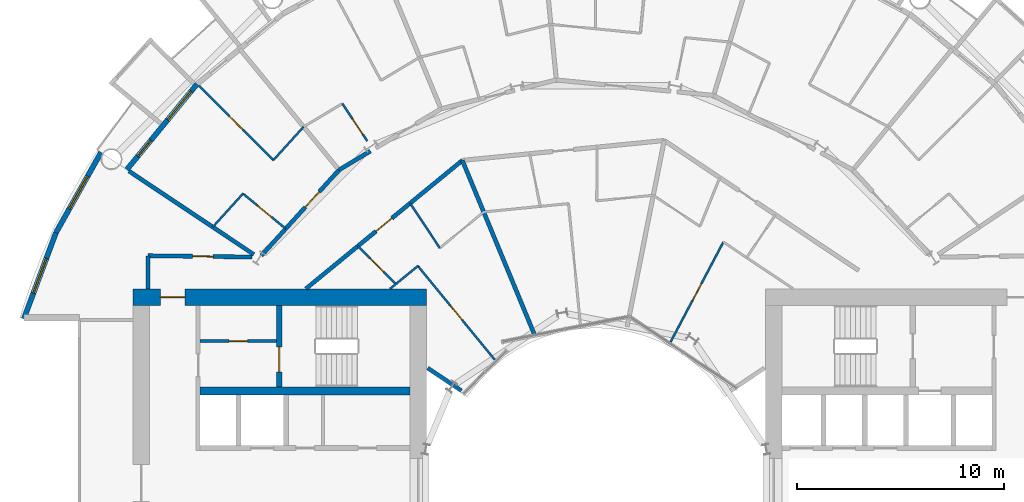
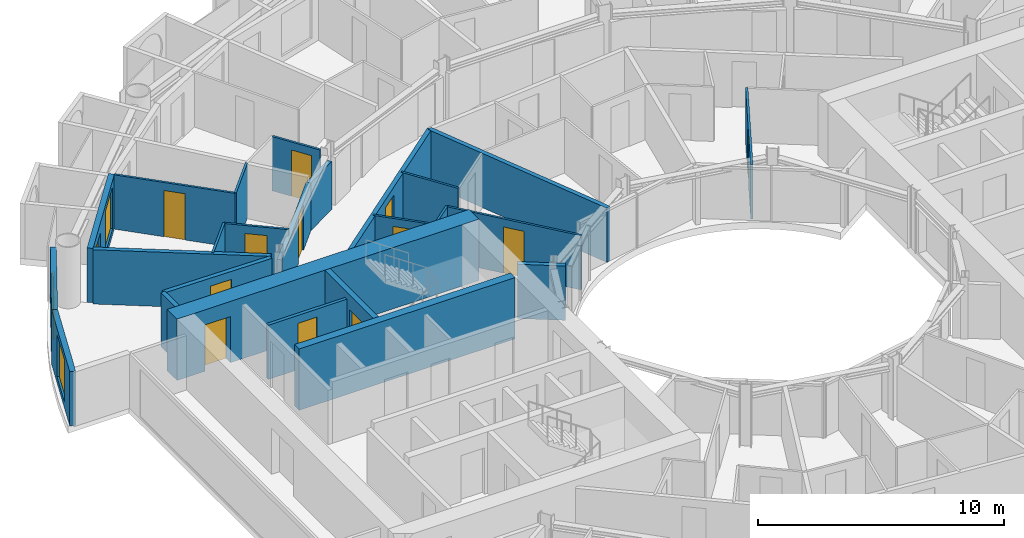
# One storey, part 18 of 26: 25 walls, 13 doors, 3 windows, 16 openings.
"""IFC4 building model written with IfcOpenShell, lengths in metres."""

from ifc_helpers import new_model, si_unit, direction, frame, frame_2d, origin, place, context, subcontext, project, spatial, rectangle, extrude, material, layer, layer_set, type_object, element, fill, save


model = new_model("IFC4")

# Units and contexts
model_context = context("Model", 3, precision=1e-05, world=origin(), true_north=direction((0.0, 1.0)))
body_context = subcontext(model_context, "Body", "Model", "MODEL_VIEW")
ifc_project = project(units=[si_unit("LENGTHUNIT", "METRE"), si_unit("AREAUNIT", "SQUARE_METRE"), si_unit("VOLUMEUNIT", "CUBIC_METRE"), si_unit("PLANEANGLEUNIT", "RADIAN"), si_unit("MASSUNIT", "GRAM", prefix="KILO")], contexts=[model_context])

# Site, building, storey
site_placement = place(None, origin())
site = spatial("IfcSite", under=ifc_project, at=site_placement, CompositionType="ELEMENT")
building_placement = place(site_placement, origin())
building = spatial("IfcBuilding", under=site, at=building_placement, Name="Maasbend Ring Residences", CompositionType="ELEMENT")
storey_placement = place(building_placement, frame((0.0, 0.0, 22.800048828125)))
storey = spatial("IfcBuildingStorey", under=building, at=storey_placement, Name="L05", CompositionType="ELEMENT", Elevation=22.800048828125)

# Wall, opening, door
ifc_material_1 = material(Name="Concrete C70/85", Category="concrete")
ifc_layer_1 = layer(ifc_material_1, 0.25)
ifc_layer_set_1 = layer_set([ifc_layer_1], Name="Concrete C70/85")
wall_type_1 = type_object("IfcWallType", Name="CORE WALL 250 C70/85", PredefinedType="SHEAR", material=ifc_layer_set_1)
wall_1_placement = place(storey_placement, frame((-15.324951171875, 8.60009765625, 0.0), z_axis=(0.0, 0.0, 1.0), x_axis=(0.0, -1.0, 0.0)))
wall_1 = element("IfcWall", 1, at=wall_1_placement, inside=storey, type_object=wall_type_1, Name="L05 core W wall STES", PredefinedType="SHEAR", context=body_context, shape_type="SweptSolid", body=[
    extrude(rectangle(XDim=3.9501953125, YDim=0.25, at=frame_2d((1.97509765625, 0.0))), origin(), (0.0, 0.0, 1.0), 3.050048828125),
])
opening_1_placement = place(wall_1_placement, frame((2.02490234375, 0.0, 0.0)))
opening_1 = element("IfcOpeningElement", 2, at=opening_1_placement, cuts=wall_1, Name="Opening D-W0510", PredefinedType="OPENING", context=body_context, shape_type="SweptSolid", body=[
    extrude(rectangle(XDim=1.199951171875, YDim=2.300048828125, at=frame_2d((0.60009765625, 1.14990234375))), frame((0.0, 0.135009765625, 0.0), z_axis=(0.0, -1.0, 0.0), x_axis=(1.0, 0.0, 0.0)), (0.0, 0.0, 1.0), 0.27001953125),
])
ifc_material_2 = material(Name="Steel, powder coated", Category="steel")
door_type_1 = type_object("IfcDoorType", Name="STAIR DOOR 1200 X 2300 FD60", OperationType="NOTDEFINED", PredefinedType="DOOR", material=ifc_material_2)
door_1_placement = place(opening_1_placement, origin())
door_1 = element("IfcDoor", 3, at=door_1_placement, inside=storey, type_object=door_type_1, Name="Stair door ST-W L05", OperationType="SINGLE_SWING_LEFT", OverallHeight=2.300048828125, OverallWidth=1.199951171875, PredefinedType="DOOR", context=body_context, shape_type="SweptSolid", body=[
    extrude(rectangle(XDim=1.199951171875, YDim=2.300048828125, at=frame_2d((0.60009765625, 1.14990234375))), frame((0.0, 0.02490234375, 0.0), z_axis=(0.0, -1.0, 0.0), x_axis=(1.0, 0.0, 0.0)), (0.0, 0.0, 1.0), 0.050048828125),
])
fill(opening_1, door_1)

# Wall
ifc_material_3 = material(Name="Concrete C70/85", Category="concrete")
ifc_layer_2 = layer(ifc_material_3, 0.375)
ifc_layer_set_2 = layer_set([ifc_layer_2], Name="Concrete C70/85")
wall_type_2 = type_object("IfcWallType", Name="CORE WALL 375 C70/85", PredefinedType="SHEAR", material=ifc_layer_set_2)
wall_2_placement = place(storey_placement, frame((-9.0, 4.46240234375, 0.0), z_axis=(0.0, 0.0, 1.0), x_axis=(-1.0, 0.0, 0.0)))
element("IfcWall", 4, at=wall_2_placement, inside=storey, type_object=wall_type_2, Name="L05 core W wall BS", PredefinedType="SHEAR", context=body_context, shape_type="SweptSolid", body=[
    extrude(rectangle(XDim=10.14990234375, YDim=0.375, at=frame_2d((5.074951171875, 0.0))), origin(), (0.0, 0.0, 1.0), 3.050048828125),
])

# Wall, opening, door
ifc_material_4 = material(Name="Concrete C70/85", Category="concrete")
ifc_layer_3 = layer(ifc_material_4, 0.800048828125)
ifc_layer_set_3 = layer_set([ifc_layer_3], Name="Concrete C70/85")
wall_type_3 = type_object("IfcWallType", Name="CORE WALL 800 C70/85", PredefinedType="SHEAR", material=ifc_layer_set_3)
wall_3_placement = place(storey_placement, frame((-8.199951171875, 9.0, 0.0), z_axis=(0.0, 0.0, 1.0), x_axis=(-1.0, 0.0, 0.0)))
wall_3 = element("IfcWall", 5, at=wall_3_placement, inside=storey, type_object=wall_type_3, Name="L05 core W wall PS", PredefinedType="SHEAR", context=body_context, shape_type="SweptSolid", body=[
    extrude(rectangle(XDim=14.199951171875, YDim=0.800048828125, at=frame_2d((7.10009765625, 0.0))), origin(), (0.0, 0.0, 1.0), 3.050048828125),
])
opening_2_placement = place(wall_3_placement, frame((11.675048828125, 0.0, 0.0)))
opening_2 = element("IfcOpeningElement", 6, at=opening_2_placement, cuts=wall_3, Name="Opening D-W0514", PredefinedType="OPENING", context=body_context, shape_type="SweptSolid", body=[
    extrude(rectangle(XDim=1.199951171875, YDim=2.300048828125, at=frame_2d((0.60009765625, 1.14990234375))), frame((0.0, 0.41015625, 0.0), z_axis=(0.0, -1.0, 0.0), x_axis=(1.0, 0.0, 0.0)), (0.0, 0.0, 1.0), 0.820068359375),
])
ifc_material_5 = material(Name="Steel, powder coated", Category="steel")
door_type_2 = type_object("IfcDoorType", Name="CORRIDOR DOOR 1200 X 2300 FD30S", OperationType="NOTDEFINED", PredefinedType="DOOR", material=ifc_material_5)
door_2_placement = place(opening_2_placement, origin())
door_2 = element("IfcDoor", 7, at=door_2_placement, inside=storey, type_object=door_type_2, Name="Corridor door L05", OperationType="SINGLE_SWING_LEFT", OverallHeight=2.300048828125, OverallWidth=1.199951171875, PredefinedType="DOOR", context=body_context, shape_type="SweptSolid", body=[
    extrude(rectangle(XDim=1.199951171875, YDim=2.300048828125, at=frame_2d((0.60009765625, 1.14990234375))), frame((0.0, 0.02490234375, 0.0), z_axis=(0.0, -1.0, 0.0), x_axis=(1.0, 0.0, 0.0)), (0.0, 0.0, 1.0), 0.050048828125),
])
fill(opening_2, door_2)

ifc_material_6 = material(Name="Concrete C30/37", Category="concrete")
ifc_layer_4 = layer(ifc_material_6, 0.199951171875)
ifc_layer_set_4 = layer_set([ifc_layer_4], Name="Concrete C30/37")
wall_type_4 = type_object("IfcWallType", Name="CORRIDOR WALL 200 CONCRETE", PredefinedType="PARTITIONING", material=ifc_layer_set_4)
wall_4_placement = place(storey_placement, frame((-21.675048828125, 11.0, 0.0), z_axis=(0.0, 0.0, 1.0), x_axis=(0.99992425795, -0.012307654658, 0.0)))
wall_4 = element("IfcWall", 8, at=wall_4_placement, inside=storey, type_object=wall_type_4, Name="U-L05-w098", PredefinedType="PARTITIONING", context=body_context, shape_type="SweptSolid", body=[
    extrude(rectangle(XDim=5.03857421875, YDim=0.199951171875, at=frame_2d((2.519287109375, 0.0))), origin(), (0.0, 0.0, 1.0), 2.699951171875),
])
opening_3_placement = place(wall_4_placement, frame((2.155029296875, 0.0, 0.0)))
opening_3 = element("IfcOpeningElement", 9, at=opening_3_placement, cuts=wall_4, Name="Opening D-0566", PredefinedType="OPENING", context=body_context, shape_type="SweptSolid", body=[
    extrude(rectangle(XDim=1.0, YDim=2.300048828125, at=frame_2d((0.5, 1.14990234375))), frame((0.0, 0.10986328125, 0.0), z_axis=(0.0, -1.0, 0.0), x_axis=(1.0, 0.0, 0.0)), (0.0, 0.0, 1.0), 0.219970703125),
])
ifc_material_7 = material(Name="Timber, painted", Category="wood")
door_type_3 = type_object("IfcDoorType", Name="ROOM DOOR 1000 X 2300", OperationType="NOTDEFINED", PredefinedType="DOOR", material=ifc_material_7)
door_3_placement = place(opening_3_placement, origin())
door_3 = element("IfcDoor", 10, at=door_3_placement, inside=storey, type_object=door_type_3, Name="D-0566", OperationType="SINGLE_SWING_RIGHT", OverallHeight=2.300048828125, OverallWidth=1.0, PredefinedType="DOOR", context=body_context, shape_type="SweptSolid", body=[
    extrude(rectangle(XDim=1.0, YDim=2.300048828125, at=frame_2d((0.5, 1.14990234375))), frame((0.0, 0.02490234375, 0.0), z_axis=(0.0, -1.0, 0.0), x_axis=(1.0, 0.0, 0.0)), (0.0, 0.0, 1.0), 0.050048828125),
])
fill(opening_3, door_3)

wall_5_placement = place(storey_placement, frame((-14.0390625, 9.39990234375, 0.0), z_axis=(0.0, 0.0, 1.0), x_axis=(0.77298340166, 0.634426245326, 0.0)))
wall_5 = element("IfcWall", 11, at=wall_5_placement, inside=storey, type_object=wall_type_4, Name="U-L05-w107", PredefinedType="PARTITIONING", context=body_context, shape_type="SweptSolid", body=[
    extrude(rectangle(XDim=9.793212890625, YDim=0.199951171875, at=frame_2d((4.896484375, 0.0))), origin(), (0.0, 0.0, 1.0), 2.699951171875),
])
opening_4_placement = place(wall_5_placement, frame((4.388916015625, 0.0, 0.0)))
opening_4 = element("IfcOpeningElement", 12, at=opening_4_placement, cuts=wall_5, Name="Opening D-0529", PredefinedType="OPENING", context=body_context, shape_type="SweptSolid", body=[
    extrude(rectangle(XDim=1.0, YDim=2.300048828125, at=frame_2d((0.5, 1.14990234375))), frame((0.0, 0.10986328125, 0.0), z_axis=(0.0, -1.0, 0.0), x_axis=(1.0, 0.0, 0.0)), (0.0, 0.0, 1.0), 0.219970703125),
])
ifc_material_8 = material(Name="Timber, fire-rated, painted", Category="wood")
door_type_4 = type_object("IfcDoorType", Name="FLAT ENTRANCE DOOR 1000 X 2300 FIRE-RATED", OperationType="NOTDEFINED", PredefinedType="DOOR", material=ifc_material_8)
door_4_placement = place(opening_4_placement, origin())
door_4 = element("IfcDoor", 13, at=door_4_placement, inside=storey, type_object=door_type_4, Name="D-0529", OperationType="SINGLE_SWING_LEFT", OverallHeight=2.300048828125, OverallWidth=1.0, PredefinedType="DOOR", context=body_context, shape_type="SweptSolid", body=[
    extrude(rectangle(XDim=1.0, YDim=2.300048828125, at=frame_2d((0.5, 1.14990234375))), frame((0.0, 0.02490234375, 0.0), z_axis=(0.0, -1.0, 0.0), x_axis=(1.0, 0.0, 0.0)), (0.0, 0.0, 1.0), 0.050048828125),
])
fill(opening_4, door_4)

wall_6_placement = place(storey_placement, frame((-16.193115234375, 11.0029296875, 0.0), z_axis=(0.0, 0.0, 1.0), x_axis=(0.671514934772, 0.740991020444, 0.0)))
wall_6 = element("IfcWall", 14, at=wall_6_placement, inside=storey, type_object=wall_type_4, Name="U-L05-w113", PredefinedType="PARTITIONING", context=body_context, shape_type="SweptSolid", body=[
    extrude(rectangle(XDim=5.597900390625, YDim=0.199951171875, at=frame_2d((2.798828125, 0.0))), origin(), (0.0, 0.0, 1.0), 2.3798828125),
])
opening_5_placement = place(wall_6_placement, frame((3.179931640625, 0.0, 0.0)))
opening_5 = element("IfcOpeningElement", 15, at=opening_5_placement, cuts=wall_6, Name="Opening D-0518", PredefinedType="OPENING", context=body_context, shape_type="SweptSolid", body=[
    extrude(rectangle(XDim=1.0, YDim=2.300048828125, at=frame_2d((0.5, 1.14990234375))), frame((0.0, 0.10986328125, 0.0), z_axis=(0.0, -1.0, 0.0), x_axis=(1.0, 0.0, 0.0)), (0.0, 0.0, 1.0), 0.219970703125),
])
door_5_placement = place(opening_5_placement, origin())
door_5 = element("IfcDoor", 16, at=door_5_placement, inside=storey, type_object=door_type_4, Name="D-0518", OperationType="SINGLE_SWING_RIGHT", OverallHeight=2.300048828125, OverallWidth=1.0, PredefinedType="DOOR", context=body_context, shape_type="SweptSolid", body=[
    extrude(rectangle(XDim=1.0, YDim=2.300048828125, at=frame_2d((0.5, 1.14990234375))), frame((0.0, 0.02490234375, 0.0), z_axis=(0.0, -1.0, 0.0), x_axis=(1.0, 0.0, 0.0)), (0.0, 0.0, 1.0), 0.050048828125),
])
fill(opening_5, door_5)

# Walls
wall_7_placement = place(storey_placement, frame((-12.43408203125, 15.15087890625, 0.0), z_axis=(0.0, 0.0, 1.0), x_axis=(0.857809047014, 0.513968519329, 0.0)))
element("IfcWall", 17, at=wall_7_placement, inside=storey, type_object=wall_type_4, Name="U-L05-w114", PredefinedType="PARTITIONING", context=body_context, shape_type="SweptSolid", body=[
    extrude(rectangle(XDim=1.770751953125, YDim=0.199951171875, at=frame_2d((0.88525390625, 0.0))), origin(), (0.0, 0.0, 1.0), 2.3798828125),
])
wall_8_placement = place(storey_placement, frame((-21.675048828125, 9.39990234375, 0.0), z_axis=(0.0, 0.0, 1.0), x_axis=(0.0, 1.0, 0.0)))
element("IfcWall", 18, at=wall_8_placement, inside=storey, type_object=wall_type_4, Name="U-L05-w120", PredefinedType="PARTITIONING", context=body_context, shape_type="SweptSolid", body=[
    extrude(rectangle(XDim=1.60009765625, YDim=0.199951171875, at=frame_2d((0.800048828125, 0.0))), origin(), (0.0, 0.0, 1.0), 2.699951171875),
])

# Wall, openings, door, window
ifc_material_9 = material(Name="Aluminium clad insulated panel", Category="aluminium")
ifc_layer_5 = layer(ifc_material_9, 0.25)
ifc_layer_set_5 = layer_set([ifc_layer_5], Name="EW-GL")
wall_type_5 = type_object("IfcWallType", Name="EW-GL", PredefinedType="SOLIDWALL", material=ifc_layer_set_5)
wall_9_placement = place(storey_placement, frame((-19.303955078125, 19.303955078125, 0.0), z_axis=(0.0, 0.0, 1.0), x_axis=(-0.634382322723, -0.773019449054, 0.0)))
wall_9 = element("IfcWall", 19, at=wall_9_placement, inside=storey, type_object=wall_type_5, Name="External wall N10", PredefinedType="SOLIDWALL", context=body_context, shape_type="SweptSolid", body=[
    extrude(rectangle(XDim=5.351806640625, YDim=0.25, at=frame_2d((2.67578125, 0.0))), origin(), (0.0, 0.0, 1.0), 2.699951171875),
])
opening_6_placement = place(wall_9_placement, frame((0.441162109375, 0.0, 0.300048828125)))
opening_6 = element("IfcOpeningElement", 20, at=opening_6_placement, cuts=wall_9, Name="Opening W-BX", PredefinedType="OPENING", context=body_context, shape_type="SweptSolid", body=[
    extrude(rectangle(XDim=1.800048828125, YDim=2.10009765625, at=frame_2d((0.89990234375, 1.050048828125))), frame((0.0, 0.135009765625, 0.0), z_axis=(0.0, -1.0, 0.0), x_axis=(1.0, 0.0, 0.0)), (0.0, 0.0, 1.0), 0.27001953125),
])
opening_7_placement = place(wall_9_placement, frame((3.510498046875, 0.0, 0.0)))
opening_7 = element("IfcOpeningElement", 21, at=opening_7_placement, cuts=wall_9, Name="Opening D-LG", PredefinedType="OPENING", context=body_context, shape_type="SweptSolid", body=[
    extrude(rectangle(XDim=1.0, YDim=2.199951171875, at=frame_2d((0.5, 1.10009765625))), frame((0.0, 0.135009765625, 0.0), z_axis=(0.0, -1.0, 0.0), x_axis=(1.0, 0.0, 0.0)), (0.0, 0.0, 1.0), 0.27001953125),
])
ifc_material_10 = material(Name="Aluminium and clear glass", Category="aluminium")
door_type_5 = type_object("IfcDoorType", Name="D-LG", OperationType="SINGLE_SWING_LEFT", PredefinedType="DOOR", material=ifc_material_10)
door_6_placement = place(opening_7_placement, origin())
door_6 = element("IfcDoor", 22, at=door_6_placement, inside=storey, type_object=door_type_5, Name="Loggia door N20", OperationType="SINGLE_SWING_LEFT", OverallHeight=2.199951171875, OverallWidth=1.0, PredefinedType="DOOR", context=body_context, shape_type="SweptSolid", body=[
    extrude(rectangle(XDim=1.0, YDim=2.199951171875, at=frame_2d((0.5, 1.10009765625))), frame((0.0, 0.02490234375, 0.0), z_axis=(0.0, -1.0, 0.0), x_axis=(1.0, 0.0, 0.0)), (0.0, 0.0, 1.0), 0.050048828125),
])
fill(opening_7, door_6)
ifc_material_11 = material(Name="Aluminium and clear glass", Category="aluminium")
window_type = type_object("IfcWindowType", Name="W-BX", PartitioningType="DOUBLE_PANEL_VERTICAL", PredefinedType="WINDOW", material=ifc_material_11)
window_1_placement = place(opening_6_placement, origin())
window_1 = element("IfcWindow", 23, at=window_1_placement, inside=storey, type_object=window_type, Name="Window N19 room to box", OverallHeight=2.10009765625, OverallWidth=1.800048828125, PartitioningType="SINGLE_PANEL", PredefinedType="WINDOW", context=body_context, shape_type="SweptSolid", body=[
    extrude(rectangle(XDim=1.800048828125, YDim=2.10009765625, at=frame_2d((0.89990234375, 1.050048828125))), frame((0.0, 0.030029296875, 0.0), z_axis=(0.0, -1.0, 0.0), x_axis=(1.0, 0.0, 0.0)), (0.0, 0.0, 1.0), 0.06005859375),
])
fill(opening_6, window_1)

# Wall, opening, window
ifc_material_12 = material(Name="Aluminium clad insulated panel", Category="aluminium")
ifc_layer_6 = layer(ifc_material_12, 0.25)
ifc_layer_set_6 = layer_set([ifc_layer_6], Name="EW-HORN")
wall_type_6 = type_object("IfcWallType", Name="EW-HORN", PredefinedType="SOLIDWALL", material=ifc_layer_set_6)
wall_10_placement = place(storey_placement, frame((-23.946044921875, 16.0, 0.0), z_axis=(0.0, 0.0, 1.0), x_axis=(-0.489696356642, -0.871893042919, 0.0)))
wall_10 = element("IfcWall", 24, at=wall_10_placement, inside=storey, type_object=wall_type_6, Name="Horn wall 4.1", PredefinedType="SOLIDWALL", context=body_context, shape_type="SweptSolid", body=[
    extrude(rectangle(XDim=4.45361328125, YDim=0.25, at=frame_2d((2.226806640625, 0.0))), origin(), (0.0, 0.0, 1.0), 2.699951171875),
])
opening_8_placement = place(wall_10_placement, frame((1.32666015625, 0.0, 0.300048828125)))
opening_8 = element("IfcOpeningElement", 25, at=opening_8_placement, cuts=wall_10, Name="Opening W-BX", PredefinedType="OPENING", context=body_context, shape_type="SweptSolid", body=[
    extrude(rectangle(XDim=1.800048828125, YDim=2.10009765625, at=frame_2d((0.89990234375, 1.050048828125))), frame((0.0, 0.135009765625, 0.0), z_axis=(0.0, -1.0, 0.0), x_axis=(1.0, 0.0, 0.0)), (0.0, 0.0, 1.0), 0.27001953125),
])
window_2_placement = place(opening_8_placement, origin())
window_2 = element("IfcWindow", 26, at=window_2_placement, inside=storey, type_object=window_type, Name="Horn window 4.1", OverallHeight=2.10009765625, OverallWidth=1.800048828125, PartitioningType="SINGLE_PANEL", PredefinedType="WINDOW", context=body_context, shape_type="SweptSolid", body=[
    extrude(rectangle(XDim=1.800048828125, YDim=2.10009765625, at=frame_2d((0.89990234375, 1.050048828125))), frame((0.0, 0.030029296875, 0.0), z_axis=(0.0, -1.0, 0.0), x_axis=(1.0, 0.0, 0.0)), (0.0, 0.0, 1.0), 0.06005859375),
])
fill(opening_8, window_2)

wall_11_placement = place(storey_placement, frame((-26.126953125, 12.116943359375, 0.0), z_axis=(0.0, 0.0, 1.0), x_axis=(-0.349247811493, -0.937030397675, 0.0)))
wall_11 = element("IfcWall", 27, at=wall_11_placement, inside=storey, type_object=wall_type_6, Name="Horn wall 4.2", PredefinedType="SOLIDWALL", context=body_context, shape_type="SweptSolid", body=[
    extrude(rectangle(XDim=4.4521484375, YDim=0.25, at=frame_2d((2.22607421875, 0.0))), origin(), (0.0, 0.0, 1.0), 2.699951171875),
])
opening_9_placement = place(wall_11_placement, frame((1.32666015625, 0.0, 0.300048828125)))
opening_9 = element("IfcOpeningElement", 28, at=opening_9_placement, cuts=wall_11, Name="Opening W-BX", PredefinedType="OPENING", context=body_context, shape_type="SweptSolid", body=[
    extrude(rectangle(XDim=1.800048828125, YDim=2.10009765625, at=frame_2d((0.89990234375, 1.050048828125))), frame((0.0, 0.135009765625, 0.0), z_axis=(0.0, -1.0, 0.0), x_axis=(1.0, 0.0, 0.0)), (0.0, 0.0, 1.0), 0.27001953125),
])
window_3_placement = place(opening_9_placement, origin())
window_3 = element("IfcWindow", 29, at=window_3_placement, inside=storey, type_object=window_type, Name="Horn window 4.2", OverallHeight=2.10009765625, OverallWidth=1.800048828125, PartitioningType="SINGLE_PANEL", PredefinedType="WINDOW", context=body_context, shape_type="SweptSolid", body=[
    extrude(rectangle(XDim=1.800048828125, YDim=2.10009765625, at=frame_2d((0.89990234375, 1.050048828125))), frame((0.0, 0.030029296875, 0.0), z_axis=(0.0, -1.0, 0.0), x_axis=(1.0, 0.0, 0.0)), (0.0, 0.0, 1.0), 0.06005859375),
])
fill(opening_9, window_3)

# Wall, opening, door
ifc_material_13 = material(Name="Gypsum board on steel studs", Category="steel")
ifc_layer_7 = layer(ifc_material_13, 0.10009765625)
ifc_layer_set_7 = layer_set([ifc_layer_7], Name="PARTITION 100 GYPSUM")
wall_type_7 = type_object("IfcWallType", Name="PARTITION 100 GYPSUM", PredefinedType="PARTITIONING", material=ifc_layer_set_7)
wall_12_placement = place(storey_placement, frame((-19.2099609375, 19.221923828125, 0.0), z_axis=(0.0, 0.0, 1.0), x_axis=(0.706914880313, -0.707298629994, 0.0)))
wall_12 = element("IfcWall", 30, at=wall_12_placement, inside=storey, type_object=wall_type_7, Name="U-L05-w036", PredefinedType="PARTITIONING", context=body_context, shape_type="SweptSolid", body=[
    extrude(rectangle(XDim=5.089599609375, YDim=0.10009765625, at=frame_2d((2.544921875, 0.0))), origin(), (0.0, 0.0, 1.0), 2.699951171875),
])
opening_10_placement = place(wall_12_placement, frame((2.094970703125, 0.0, 0.0)))
opening_10 = element("IfcOpeningElement", 31, at=opening_10_placement, cuts=wall_12, Name="Opening D-0520", PredefinedType="OPENING", context=body_context, shape_type="SweptSolid", body=[
    extrude(rectangle(XDim=0.89990234375, YDim=2.300048828125, at=frame_2d((0.449951171875, 1.14990234375))), frame((0.0, 0.06005859375, 0.0), z_axis=(0.0, -1.0, 0.0), x_axis=(1.0, 0.0, 0.0)), (0.0, 0.0, 1.0), 0.1201171875),
])
ifc_material_14 = material(Name="Timber, painted", Category="wood")
door_type_6 = type_object("IfcDoorType", Name="INTERNAL DOOR 900 X 2300", OperationType="NOTDEFINED", PredefinedType="DOOR", material=ifc_material_14)
door_7_placement = place(opening_10_placement, origin())
door_7 = element("IfcDoor", 32, at=door_7_placement, inside=storey, type_object=door_type_6, Name="D-0520", OperationType="SINGLE_SWING_RIGHT", OverallHeight=2.300048828125, OverallWidth=0.89990234375, PredefinedType="DOOR", context=body_context, shape_type="SweptSolid", body=[
    extrude(rectangle(XDim=0.89990234375, YDim=2.300048828125, at=frame_2d((0.449951171875, 1.14990234375))), frame((0.0, 0.02490234375, 0.0), z_axis=(0.0, -1.0, 0.0), x_axis=(1.0, 0.0, 0.0)), (0.0, 0.0, 1.0), 0.050048828125),
])
fill(opening_10, door_7)

wall_13_placement = place(storey_placement, frame((-17.0791015625, 14.00390625, 0.0), z_axis=(0.0, 0.0, 1.0), x_axis=(0.773424377054, -0.633888580887, 0.0)))
wall_13 = element("IfcWall", 33, at=wall_13_placement, inside=storey, type_object=wall_type_7, Name="U-L05-w039", PredefinedType="PARTITIONING", context=body_context, shape_type="SweptSolid", body=[
    extrude(rectangle(XDim=2.67529296875, YDim=0.10009765625, at=frame_2d((1.337646484375, 0.0))), origin(), (0.0, 0.0, 1.0), 2.699951171875),
])
opening_11_placement = place(wall_13_placement, frame((0.887939453125, 0.0, 0.0)))
opening_11 = element("IfcOpeningElement", 34, at=opening_11_placement, cuts=wall_13, Name="Opening D-0519", PredefinedType="OPENING", context=body_context, shape_type="SweptSolid", body=[
    extrude(rectangle(XDim=0.89990234375, YDim=2.300048828125, at=frame_2d((0.449951171875, 1.14990234375))), frame((0.0, 0.06005859375, 0.0), z_axis=(0.0, -1.0, 0.0), x_axis=(1.0, 0.0, 0.0)), (0.0, 0.0, 1.0), 0.1201171875),
])
door_8_placement = place(opening_11_placement, origin())
door_8 = element("IfcDoor", 35, at=door_8_placement, inside=storey, type_object=door_type_6, Name="D-0519", OperationType="SINGLE_SWING_LEFT", OverallHeight=2.300048828125, OverallWidth=0.89990234375, PredefinedType="DOOR", context=body_context, shape_type="SweptSolid", body=[
    extrude(rectangle(XDim=0.89990234375, YDim=2.300048828125, at=frame_2d((0.449951171875, 1.14990234375))), frame((0.0, 0.02490234375, 0.0), z_axis=(0.0, -1.0, 0.0), x_axis=(1.0, 0.0, 0.0)), (0.0, 0.0, 1.0), 0.050048828125),
])
fill(opening_11, door_8)

wall_14_placement = place(storey_placement, frame((-12.27587890625, 18.360107421875, 0.0), z_axis=(0.0, 0.0, 1.0), x_axis=(0.55563200073, -0.831428337119, 0.0)))
wall_14 = element("IfcWall", 36, at=wall_14_placement, inside=storey, type_object=wall_type_7, Name="U-L05-w044", PredefinedType="PARTITIONING", context=body_context, shape_type="SweptSolid", body=[
    extrude(rectangle(XDim=2.17578125, YDim=0.10009765625, at=frame_2d((1.087890625, 0.0))), origin(), (0.0, 0.0, 1.0), 2.699951171875),
])
opening_12_placement = place(wall_14_placement, frame((0.886962890625, 0.0, 0.0)))
opening_12 = element("IfcOpeningElement", 37, at=opening_12_placement, cuts=wall_14, Name="Opening D-0516", PredefinedType="OPENING", context=body_context, shape_type="SweptSolid", body=[
    extrude(rectangle(XDim=0.89990234375, YDim=2.300048828125, at=frame_2d((0.449951171875, 1.14990234375))), frame((0.0, 0.06005859375, 0.0), z_axis=(0.0, -1.0, 0.0), x_axis=(1.0, 0.0, 0.0)), (0.0, 0.0, 1.0), 0.1201171875),
])
door_9_placement = place(opening_12_placement, origin())
door_9 = element("IfcDoor", 38, at=door_9_placement, inside=storey, type_object=door_type_6, Name="D-0516", OperationType="SINGLE_SWING_RIGHT", OverallHeight=2.300048828125, OverallWidth=0.89990234375, PredefinedType="DOOR", context=body_context, shape_type="SweptSolid", body=[
    extrude(rectangle(XDim=0.89990234375, YDim=2.300048828125, at=frame_2d((0.449951171875, 1.14990234375))), frame((0.0, 0.02490234375, 0.0), z_axis=(0.0, -1.0, 0.0), x_axis=(1.0, 0.0, 0.0)), (0.0, 0.0, 1.0), 0.050048828125),
])
fill(opening_12, door_9)

wall_15_placement = place(storey_placement, frame((-11.52392578125, 11.464111328125, 0.0), z_axis=(0.0, 0.0, 1.0), x_axis=(0.708796844581, -0.705412668665, 0.0)))
wall_15 = element("IfcWall", 39, at=wall_15_placement, inside=storey, type_object=wall_type_7, Name="U-L05-w046", PredefinedType="PARTITIONING", context=body_context, shape_type="SweptSolid", body=[
    extrude(rectangle(XDim=2.59716796875, YDim=0.10009765625, at=frame_2d((1.298583984375, 0.0))), origin(), (0.0, 0.0, 1.0), 2.699951171875),
])
opening_13_placement = place(wall_15_placement, frame((0.84912109375, 0.0, 0.0)))
opening_13 = element("IfcOpeningElement", 40, at=opening_13_placement, cuts=wall_15, Name="Opening D-0531", PredefinedType="OPENING", context=body_context, shape_type="SweptSolid", body=[
    extrude(rectangle(XDim=0.89990234375, YDim=2.300048828125, at=frame_2d((0.449951171875, 1.14990234375))), frame((0.0, 0.06005859375, 0.0), z_axis=(0.0, -1.0, 0.0), x_axis=(1.0, 0.0, 0.0)), (0.0, 0.0, 1.0), 0.1201171875),
])
door_10_placement = place(opening_13_placement, origin())
door_10 = element("IfcDoor", 41, at=door_10_placement, inside=storey, type_object=door_type_6, Name="D-0531", OperationType="SINGLE_SWING_RIGHT", OverallHeight=2.300048828125, OverallWidth=0.89990234375, PredefinedType="DOOR", context=body_context, shape_type="SweptSolid", body=[
    extrude(rectangle(XDim=0.89990234375, YDim=2.300048828125, at=frame_2d((0.449951171875, 1.14990234375))), frame((0.0, 0.02490234375, 0.0), z_axis=(0.0, -1.0, 0.0), x_axis=(1.0, 0.0, 0.0)), (0.0, 0.0, 1.0), 0.050048828125),
])
fill(opening_13, door_10)

# Wall
wall_16_placement = place(storey_placement, frame((-8.99609375, 13.5390625, 0.0), z_axis=(0.0, 0.0, 1.0), x_axis=(0.553615197403, -0.83277260594, 0.0)))
element("IfcWall", 42, at=wall_16_placement, inside=storey, type_object=wall_type_7, Name="U-L05-w050", PredefinedType="PARTITIONING", context=body_context, shape_type="SweptSolid", body=[
    extrude(rectangle(XDim=2.597412109375, YDim=0.10009765625, at=frame_2d((1.298828125, 0.0))), origin(), (0.0, 0.0, 1.0), 2.699951171875),
])

# Wall, opening, door
wall_17_placement = place(storey_placement, frame((-8.6201171875, 10.50390625, 0.0), z_axis=(0.0, 0.0, 1.0), x_axis=(0.634358693064, -0.773038840249, 0.0)))
wall_17 = element("IfcWall", 43, at=wall_17_placement, inside=storey, type_object=wall_type_7, Name="U-L05-w052", PredefinedType="PARTITIONING", context=body_context, shape_type="SweptSolid", body=[
    extrude(rectangle(XDim=5.86767578125, YDim=0.10009765625, at=frame_2d((2.933837890625, 0.0))), origin(), (0.0, 0.0, 1.0), 2.699951171875),
])
opening_14_placement = place(wall_17_placement, frame((2.48388671875, 0.0, 0.0)))
opening_14 = element("IfcOpeningElement", 44, at=opening_14_placement, cuts=wall_17, Name="Opening D-0532", PredefinedType="OPENING", context=body_context, shape_type="SweptSolid", body=[
    extrude(rectangle(XDim=0.89990234375, YDim=2.300048828125, at=frame_2d((0.449951171875, 1.14990234375))), frame((0.0, 0.06005859375, 0.0), z_axis=(0.0, -1.0, 0.0), x_axis=(1.0, 0.0, 0.0)), (0.0, 0.0, 1.0), 0.1201171875),
])
door_11_placement = place(opening_14_placement, origin())
door_11 = element("IfcDoor", 45, at=door_11_placement, inside=storey, type_object=door_type_6, Name="D-0532", OperationType="SINGLE_SWING_RIGHT", OverallHeight=2.300048828125, OverallWidth=0.89990234375, PredefinedType="DOOR", context=body_context, shape_type="SweptSolid", body=[
    extrude(rectangle(XDim=0.89990234375, YDim=2.300048828125, at=frame_2d((0.449951171875, 1.14990234375))), frame((0.0, 0.02490234375, 0.0), z_axis=(0.0, -1.0, 0.0), x_axis=(1.0, 0.0, 0.0)), (0.0, 0.0, 1.0), 0.050048828125),
])
fill(opening_14, door_11)

wall_18_placement = place(storey_placement, frame((3.60498046875, 6.826904296875, 0.0), z_axis=(0.0, 0.0, 1.0), x_axis=(0.466976820365, 0.884269556889, 0.0)))
wall_18 = element("IfcWall", 46, at=wall_18_placement, inside=storey, type_object=wall_type_7, Name="U-L05-w074", PredefinedType="PARTITIONING", context=body_context, shape_type="SweptSolid", body=[
    extrude(rectangle(XDim=5.46923828125, YDim=0.10009765625, at=frame_2d((2.734619140625, 0.0))), origin(), (0.0, 0.0, 1.0), 2.699951171875),
])
opening_15_placement = place(wall_18_placement, frame((2.283935546875, 0.0, 0.0)))
opening_15 = element("IfcOpeningElement", 47, at=opening_15_placement, cuts=wall_18, Name="Opening D-0524", PredefinedType="OPENING", context=body_context, shape_type="SweptSolid", body=[
    extrude(rectangle(XDim=0.89990234375, YDim=2.300048828125, at=frame_2d((0.449951171875, 1.14990234375))), frame((0.0, 0.06005859375, 0.0), z_axis=(0.0, -1.0, 0.0), x_axis=(1.0, 0.0, 0.0)), (0.0, 0.0, 1.0), 0.1201171875),
])
door_12_placement = place(opening_15_placement, origin())
door_12 = element("IfcDoor", 48, at=door_12_placement, inside=storey, type_object=door_type_6, Name="D-0524", OperationType="SINGLE_SWING_RIGHT", OverallHeight=2.300048828125, OverallWidth=0.89990234375, PredefinedType="DOOR", context=body_context, shape_type="SweptSolid", body=[
    extrude(rectangle(XDim=0.89990234375, YDim=2.300048828125, at=frame_2d((0.449951171875, 1.14990234375))), frame((0.0, 0.02490234375, 0.0), z_axis=(0.0, -1.0, 0.0), x_axis=(1.0, 0.0, 0.0)), (0.0, 0.0, 1.0), 0.050048828125),
])
fill(opening_15, door_12)

# Walls
wall_19_placement = place(storey_placement, frame((-9.965087890625, 9.39990234375, 0.0), z_axis=(0.0, 0.0, 1.0), x_axis=(0.773141825369, 0.634233173104, 0.0)))
element("IfcWall", 49, at=wall_19_placement, inside=storey, type_object=wall_type_7, Name="U-L05-w102", PredefinedType="PARTITIONING", context=body_context, shape_type="SweptSolid", body=[
    extrude(rectangle(XDim=1.748779296875, YDim=0.10009765625, at=frame_2d((0.87451171875, 0.0))), origin(), (0.0, 0.0, 1.0), 2.699951171875),
])
wall_20_placement = place(storey_placement, frame((-18.5380859375, 12.39404296875, 0.0), z_axis=(0.0, 0.0, 1.0), x_axis=(0.67169789574, 0.740825172937, 0.0)))
element("IfcWall", 50, at=wall_20_placement, inside=storey, type_object=wall_type_7, Name="U-L05-w125", PredefinedType="PARTITIONING", context=body_context, shape_type="SweptSolid", body=[
    extrude(rectangle(XDim=2.1826171875, YDim=0.10009765625, at=frame_2d((1.09130859375, 0.0))), origin(), (0.0, 0.0, 1.0), 2.699951171875),
])
wall_21_placement = place(storey_placement, frame((-15.612060546875, 15.6220703125, 0.0), z_axis=(0.0, 0.0, 1.0), x_axis=(0.671674967707, 0.740845960882, 0.0)))
element("IfcWall", 51, at=wall_21_placement, inside=storey, type_object=wall_type_7, Name="U-L05-w126", PredefinedType="PARTITIONING", context=body_context, shape_type="SweptSolid", body=[
    extrude(rectangle(XDim=2.18115234375, YDim=0.10009765625, at=frame_2d((1.090576171875, 0.0))), origin(), (0.0, 0.0, 1.0), 2.699951171875),
])

# Wall, opening, door
ifc_material_15 = material(Name="Gypsum board on steel studs", Category="steel")
ifc_layer_8 = layer(ifc_material_15, 0.14990234375)
ifc_layer_set_8 = layer_set([ifc_layer_8], Name="PARTITION 150 EI 60")
wall_type_8 = type_object("IfcWallType", Name="PARTITION 150 EI 60", PredefinedType="PARTITIONING", material=ifc_layer_set_8)
wall_22_placement = place(storey_placement, frame((-15.449951171875, 6.875, 0.0), z_axis=(0.0, 0.0, 1.0), x_axis=(-1.0, 0.0, 0.0)))
wall_22 = element("IfcWall", 52, at=wall_22_placement, inside=storey, type_object=wall_type_8, Name="L05 core W wall RHS", PredefinedType="PARTITIONING", context=body_context, shape_type="SweptSolid", body=[
    extrude(rectangle(XDim=3.699951171875, YDim=0.14990234375, at=frame_2d((1.85009765625, 0.0))), origin(), (0.0, 0.0, 1.0), 2.699951171875),
])
opening_16_placement = place(wall_22_placement, frame((1.39990234375, 0.0, 0.0)))
opening_16 = element("IfcOpeningElement", 53, at=opening_16_placement, cuts=wall_22, Name="Opening D-W0508", PredefinedType="OPENING", context=body_context, shape_type="SweptSolid", body=[
    extrude(rectangle(XDim=0.89990234375, YDim=2.300048828125, at=frame_2d((0.449951171875, 1.14990234375))), frame((0.0, 0.0849609375, 0.0), z_axis=(0.0, -1.0, 0.0), x_axis=(1.0, 0.0, 0.0)), (0.0, 0.0, 1.0), 0.169921875),
])
ifc_material_16 = material(Name="Steel, powder coated", Category="steel")
door_type_7 = type_object("IfcDoorType", Name="RISER DOOR 900 X 2300 FD60", OperationType="NOTDEFINED", PredefinedType="DOOR", material=ifc_material_16)
door_13_placement = place(opening_16_placement, origin())
door_13 = element("IfcDoor", 54, at=door_13_placement, inside=storey, type_object=door_type_7, Name="Riser door L05", OperationType="SINGLE_SWING_LEFT", OverallHeight=2.300048828125, OverallWidth=0.89990234375, PredefinedType="DOOR", context=body_context, shape_type="SweptSolid", body=[
    extrude(rectangle(XDim=0.89990234375, YDim=2.300048828125, at=frame_2d((0.449951171875, 1.14990234375))), frame((0.0, 0.02490234375, 0.0), z_axis=(0.0, -1.0, 0.0), x_axis=(1.0, 0.0, 0.0)), (0.0, 0.0, 1.0), 0.050048828125),
])
fill(opening_16, door_13)

# Walls
ifc_material_17 = material(Name="Concrete C30/37", Category="concrete")
ifc_layer_9 = layer(ifc_material_17, 0.199951171875)
ifc_layer_set_9 = layer_set([ifc_layer_9], Name="Concrete C30/37")
wall_type_9 = type_object("IfcWallType", Name="PARTY WALL 200 CONCRETE", PredefinedType="PARTITIONING", material=ifc_layer_set_9)
wall_23_placement = place(storey_placement, frame((-22.595947265625, 15.096923828125, 0.0), z_axis=(0.0, 0.0, 1.0), x_axis=(0.831507055747, -0.555514190857, 0.0)))
element("IfcWall", 55, at=wall_23_placement, inside=storey, type_object=wall_type_9, Name="U-L05-w033", PredefinedType="PARTITIONING", context=body_context, shape_type="SweptSolid", body=[
    extrude(rectangle(XDim=7.26513671875, YDim=0.199951171875, at=frame_2d((3.632568359375, 0.0))), origin(), (0.0, 0.0, 1.0), 2.699951171875),
])
wall_24_placement = place(storey_placement, frame((-6.468017578125, 15.614013671875, 0.0), z_axis=(0.0, 0.0, 1.0), x_axis=(0.382518543471, -0.92394781449, 0.0)))
element("IfcWall", 56, at=wall_24_placement, inside=storey, type_object=wall_type_9, Name="U-L05-w053", PredefinedType="PARTITIONING", context=body_context, shape_type="SweptSolid", body=[
    extrude(rectangle(XDim=9.18115234375, YDim=0.199951171875, at=frame_2d((4.590576171875, 0.0))), origin(), (0.0, 0.0, 1.0), 2.699951171875),
])
wall_25_placement = place(storey_placement, frame((-6.512939453125, 4.471923828125, 0.0), z_axis=(0.0, 0.0, 1.0), x_axis=(-0.831417956244, 0.555647533996, 0.0)))
element("IfcWall", 57, at=wall_25_placement, inside=storey, type_object=wall_type_9, Name="U-L05-w096", PredefinedType="PARTITIONING", context=body_context, shape_type="SweptSolid", body=[
    extrude(rectangle(XDim=1.9619140625, YDim=0.199951171875, at=frame_2d((0.98095703125, 0.0))), origin(), (0.0, 0.0, 1.0), 2.699951171875),
])

save(model, "model.ifc")
